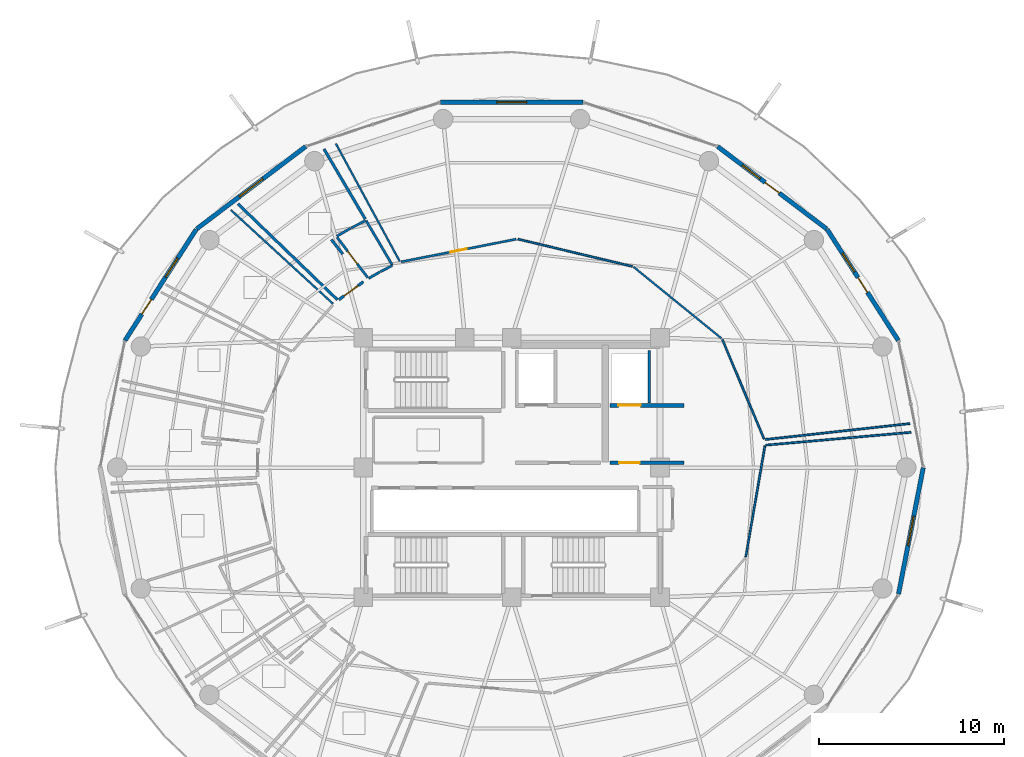
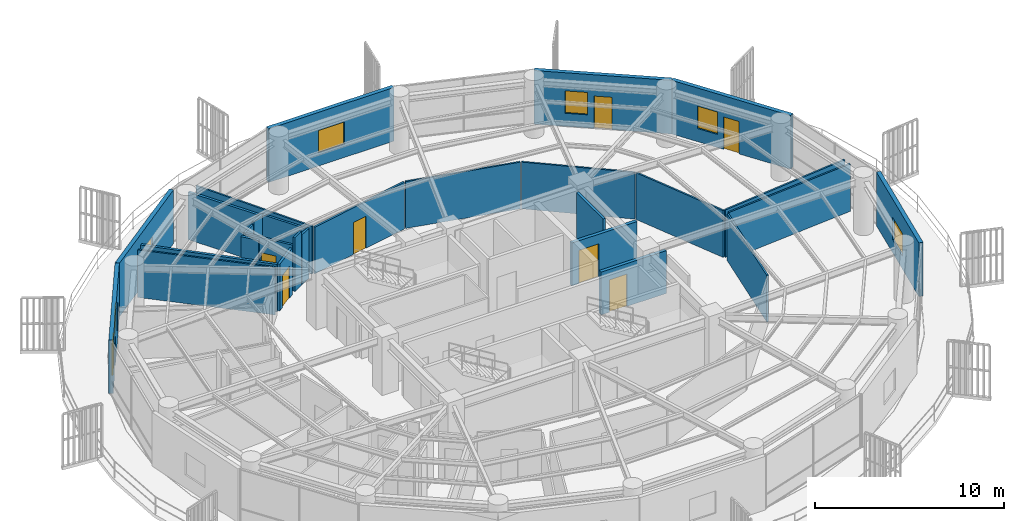
# One storey, part 25 of 30: 28 walls, 8 doors, 6 windows, 14 openings.
"""IFC4 building model written with IfcOpenShell, lengths in metres."""

import ifcopenshell
import ifcopenshell.guid

model = None  # the IFC model being written
_history = None  # IfcOwnerHistory: only IFC2X3 demands one
_inside = {}  # id of a spatial element -> (the spatial element, [elements in it])
_under = {}  # id of a project, library or spatial element -> (it, [spatial elements below it])
_declared = {}  # id of a project -> (the project, [libraries it declares])
_typed = {}  # id of a type object -> (the type object, [elements of that type])
_made_of = {}  # id of a material, layer set ... -> (it, [elements and type objects made of it])


def new_model(schema):
    """Start an empty IFC model of exactly this schema.

    Asked for "IFC4X3", IfcOpenShell would pick the latest addendum, in which some entities
    have other attributes; the version numbers below select the first issue.
    IFC2X3 requires an IfcOwnerHistory on every rooted entity: one is made here for all.
    """
    global model, _history
    if schema == "IFC4X3":
        model = ifcopenshell.file(schema_version=(4, 3, 0, 0))
    else:
        model = ifcopenshell.file(schema=schema)
    _inside.clear()
    _under.clear()
    _declared.clear()
    _typed.clear()
    _made_of.clear()
    _history = None
    if model.schema == "IFC2X3":
        org = make("IfcOrganization", Name="unknown")
        user = make(
            "IfcPersonAndOrganization",
            ThePerson=make("IfcPerson", FamilyName="unknown"),
            TheOrganization=org,
        )
        app = make(
            "IfcApplication",
            ApplicationDeveloper=org,
            Version="unknown",
            ApplicationFullName="unknown",
            ApplicationIdentifier="unknown",
        )
        _history = make(
            "IfcOwnerHistory",
            OwningUser=user,
            OwningApplication=app,
            ChangeAction="ADDED",
            CreationDate=0,
        )
    return model


def make(cls, **values):
    """One entity of the class cls with the attributes given. An attribute that is None is left unset."""
    return model.create_entity(
        cls, **{name: value for name, value in values.items() if value is not None}
    )


def rooted(cls, **values):
    """An entity with a GlobalId (a new one), such as an element, a storey or a relation."""
    return make(cls, GlobalId=ifcopenshell.guid.new(), OwnerHistory=_history, **values)


def si_unit(unit_type, name, prefix=None):
    """IfcSIUnit, for example si_unit("LENGTHUNIT", "METRE", prefix="MILLI")."""
    return make("IfcSIUnit", UnitType=unit_type, Prefix=prefix, Name=name)


def assignment(units):
    """IfcUnitAssignment: the units of a project."""
    return None if units is None else make("IfcUnitAssignment", Units=units)


def point(xyz):
    """IfcCartesianPoint."""
    return None if xyz is None else make("IfcCartesianPoint", Coordinates=xyz)


def direction(xyz):
    """IfcDirection."""
    return None if xyz is None else make("IfcDirection", DirectionRatios=xyz)


def frame(location, z_axis=None, x_axis=None):
    """IfcAxis2Placement3D, a coordinate frame: its origin and axes. An axis left out is left unset."""
    return make(
        "IfcAxis2Placement3D",
        Location=point(location),
        Axis=direction(z_axis),
        RefDirection=direction(x_axis),
    )


def frame_2d(location, x_axis=None):
    """IfcAxis2Placement2D, a coordinate frame in the plane: its origin and x axis."""
    return make(
        "IfcAxis2Placement2D", Location=point(location), RefDirection=direction(x_axis)
    )


def origin():
    """The frame at (0, 0, 0) with its axes left unset."""
    return frame((0.0, 0.0, 0.0))


def place(relative_to, where):
    """IfcLocalPlacement: puts the frame where relative to a parent placement (None: the world)."""
    return make(
        "IfcLocalPlacement", PlacementRelTo=relative_to, RelativePlacement=where
    )


def context(
    kind, dimensions, precision=None, world=None, true_north=None, identifier=None
):
    """IfcGeometricRepresentationContext, for example the 3D "Model" context."""
    return make(
        "IfcGeometricRepresentationContext",
        ContextIdentifier=identifier,
        ContextType=kind,
        CoordinateSpaceDimension=dimensions,
        Precision=precision,
        WorldCoordinateSystem=world,
        TrueNorth=true_north,
    )


def subcontext(parent, identifier, kind, view, scale=None):
    """IfcGeometricRepresentationSubContext, for example "Body" below "Model"."""
    return make(
        "IfcGeometricRepresentationSubContext",
        ContextIdentifier=identifier,
        ContextType=kind,
        ParentContext=parent,
        TargetScale=scale,
        TargetView=view,
    )


def project(units=None, contexts=None):
    """IfcProject with its units and contexts."""
    return rooted(
        "IfcProject",
        Name="project",
        RepresentationContexts=contexts,
        UnitsInContext=assignment(units),
    )


def spatial(cls, under=None, at=None, **own):
    """A site, building, storey or space (cls), placed at a placement, below another one or the project."""
    s = rooted(cls, ObjectPlacement=at, **own)
    if under is not None:
        _under.setdefault(under.id(), (under, []))[1].append(s)
    return s


def profile(cls, at=None, kind="AREA", **sizes):
    """A parametric profile (cls). Its sizes go by their IFC names, for example OverallWidth=200.0."""
    return make(cls, ProfileType=kind, Position=at, **sizes)


def rectangle(**sizes):
    """IfcRectangleProfileDef."""
    return profile("IfcRectangleProfileDef", **sizes)


def extrude(swept, where, along, depth):
    """IfcExtrudedAreaSolid: the profile swept, set in the frame where, extruded along a direction by depth."""
    return make(
        "IfcExtrudedAreaSolid",
        SweptArea=swept,
        Position=where,
        ExtrudedDirection=direction(along),
        Depth=depth,
    )


def shape(context_of_items, identifier, shape_type, items):
    """IfcShapeRepresentation: the items that make up one representation, for example the "Body"."""
    return make(
        "IfcShapeRepresentation",
        ContextOfItems=context_of_items,
        RepresentationIdentifier=identifier,
        RepresentationType=shape_type,
        Items=items,
    )


def material(Name=None, Category=None):
    """IfcMaterial."""
    return make("IfcMaterial", Name=Name, Category=Category)


def layer(
    of_material, thickness, ventilated=None, Name=None, Category=None, Priority=None
):
    """IfcMaterialLayer: one layer of a wall or slab, of a material (None: an air gap)."""
    return make(
        "IfcMaterialLayer",
        Material=of_material,
        LayerThickness=thickness,
        IsVentilated=ventilated,
        Name=Name,
        Category=Category,
        Priority=Priority,
    )


def layer_set(layers, Name=None):
    """IfcMaterialLayerSet."""
    return make("IfcMaterialLayerSet", MaterialLayers=layers, LayerSetName=Name)


def made_of(thing, what):
    """Note that an element or type object is made of a material, layer set ...; save() writes the relation."""
    if what is not None:
        _made_of.setdefault(what.id(), (what, []))[1].append(thing)
    return thing


def type_object(cls, material=None, **own):
    """A type object (cls), such as IfcWallType, which elements share."""
    return made_of(rooted(cls, **own), material)


def element(
    cls,
    number,
    at=None,
    inside=None,
    cuts=None,
    type_object=None,
    material=None,
    context=None,
    identifier="Body",
    shape_type=None,
    held_by="IfcProductDefinitionShape",
    body=None,
    shapes=None,
    **own,
):
    """One element of the class cls, such as IfcWall. Its Tag is "e" and its number.

    at: its placement. inside: the storey or other place that contains it. cuts: it is an
    opening in that element (IfcRelVoidsElement). A single representation is given by context,
    identifier, shape_type and body (its items); several are given by shapes. held_by: the class
    of the entity that holds the representations. save() writes the other relations.
    """
    e = rooted(cls, Tag="e%d" % number, ObjectPlacement=at, **own)
    if body is not None:
        shapes = [shape(context, identifier, shape_type, body)]
    if shapes is not None:
        e.Representation = make(held_by, Representations=shapes)
    if inside is not None:
        _inside.setdefault(inside.id(), (inside, []))[1].append(e)
    if cuts is not None:
        rooted(
            "IfcRelVoidsElement", RelatingBuildingElement=cuts, RelatedOpeningElement=e
        )
    if type_object is not None:
        _typed.setdefault(type_object.id(), (type_object, []))[1].append(e)
    return made_of(e, material)


def fill(opening, filler):
    """IfcRelFillsElement: the door or window that sits in an opening."""
    return rooted(
        "IfcRelFillsElement",
        RelatingOpeningElement=opening,
        RelatedBuildingElement=filler,
    )


def aggregate(whole, parts):
    """IfcRelAggregates: a whole, such as a stair, and the parts it consists of."""
    return rooted("IfcRelAggregates", RelatingObject=whole, RelatedObjects=parts)


def save(model, path):
    """Write the relations noted so far, then the file.

    IfcRelAggregates (storeys below a building ...), IfcRelContainedInSpatialStructure (elements
    in a storey), IfcRelDefinesByType, IfcRelAssociatesMaterial and IfcRelDeclares: one each for
    every whole, place, type object, material and project.
    """
    for whole, parts in _under.values():
        aggregate(whole, parts)
    for where, things in _inside.values():
        rooted(
            "IfcRelContainedInSpatialStructure",
            RelatedElements=things,
            RelatingStructure=where,
        )
    for kind, things in _typed.values():
        rooted("IfcRelDefinesByType", RelatedObjects=things, RelatingType=kind)
    for what, things in _made_of.values():
        rooted("IfcRelAssociatesMaterial", RelatedObjects=things, RelatingMaterial=what)
    for by, libraries in _declared.values():
        rooted("IfcRelDeclares", RelatingContext=by, RelatedDefinitions=libraries)
    model.write(path)


model = new_model("IFC4")

# Units and contexts
model_context = context("Model", 3, precision=1e-05, world=origin(), true_north=direction((0.0, 1.0)))
body_context = subcontext(model_context, "Body", "Model", "MODEL_VIEW")
ifc_project = project(units=[si_unit("LENGTHUNIT", "METRE"), si_unit("AREAUNIT", "SQUARE_METRE"), si_unit("VOLUMEUNIT", "CUBIC_METRE"), si_unit("PLANEANGLEUNIT", "RADIAN"), si_unit("MASSUNIT", "GRAM", prefix="KILO")], contexts=[model_context])

# Site, building, storey
site_placement = place(None, origin())
site = spatial("IfcSite", under=ifc_project, at=site_placement, CompositionType="ELEMENT")
building_placement = place(site_placement, origin())
building = spatial("IfcBuilding", under=site, at=building_placement, Name="Kelanora Arch Commons", CompositionType="ELEMENT")
storey_placement = place(building_placement, frame((0.0, 0.0, 234.449951171875)))
storey = spatial("IfcBuildingStorey", under=building, at=storey_placement, Name="L60", CompositionType="ELEMENT", Elevation=234.449951171875)

# Wall
ifc_material_1 = material(Name="Autoclaved aerated concrete blockwork with fire plaster", Category="masonry")
ifc_layer_1 = layer(ifc_material_1, 0.14990234375)
ifc_layer_set_1 = layer_set([ifc_layer_1], Name="Autoclaved aerated concrete blockwork with fire plaster")
wall_type_1 = type_object("IfcWallType", Name="W-COMP-150", PredefinedType="PARTITIONING", material=ifc_layer_set_1)
wall_1_placement = place(storey_placement, frame((81.419921875, 61.47998046875, 0.0), z_axis=(0.0, 0.0, 1.0), x_axis=(0.0, 1.0, 0.0)))
element("IfcWall", 1, at=wall_1_placement, inside=storey, type_object=wall_type_1, Name="Firefighting Lift 2 East Shaft Wall L60", PredefinedType="PARTITIONING", context=body_context, shape_type="SweptSolid", body=[
    extrude(rectangle(XDim=2.840087890625, YDim=0.14990234375, at=frame_2d((1.419921875, 0.0))), origin(), (0.0, 0.0, 1.0), 3.47998046875),
])

# Wall, opening, door
wall_2_placement = place(storey_placement, frame((65.99853515625, 68.015380859375, 0.0), z_axis=(0.0, 0.0, 1.0), x_axis=(-0.806790207918, -0.59083801537, 0.0)))
wall_2 = element("IfcWall", 2, at=wall_2_placement, inside=storey, type_object=wall_type_1, Name="Cluster Bedroom L60-01 Entry Partition", PredefinedType="PARTITIONING", context=body_context, shape_type="SweptSolid", body=[
    extrude(rectangle(XDim=1.63134765625, YDim=0.14990234375, at=frame_2d((0.815673828125, 0.0))), origin(), (0.0, 0.0, 1.0), 3.025146484375),
])
opening_1_placement = place(wall_2_placement, frame((0.341064453125, 0.0, 0.0)))
opening_1 = element("IfcOpeningElement", 3, at=opening_1_placement, cuts=wall_2, Name="Opening D-CLU1", PredefinedType="OPENING", context=body_context, shape_type="SweptSolid", body=[
    extrude(rectangle(XDim=0.949951171875, YDim=2.080078125, at=frame_2d((0.47509765625, 1.0400390625))), frame((0.0, 0.0849609375, 0.0), z_axis=(0.0, -1.0, 0.0), x_axis=(1.0, 0.0, 0.0)), (0.0, 0.0, 1.0), 0.169921875),
])
ifc_material_2 = material(Name="Solid-core acoustic timber cluster entry fire door", Category="wood")
door_type_1 = type_object("IfcDoorType", Name="D-CLU-95", OperationType="NOTDEFINED", PredefinedType="DOOR", material=ifc_material_2)
door_1_placement = place(opening_1_placement, origin())
door_1 = element("IfcDoor", 4, at=door_1_placement, inside=storey, type_object=door_type_1, Name="Cluster Bedroom L60-01 Door", OperationType="SINGLE_SWING_LEFT", OverallHeight=2.080078125, OverallWidth=0.949951171875, PredefinedType="DOOR", context=body_context, shape_type="SweptSolid", body=[
    extrude(rectangle(XDim=0.949951171875, YDim=2.080078125, at=frame_2d((0.47509765625, 1.0400390625))), frame((0.0, 0.02490234375, 0.0), z_axis=(0.0, -1.0, 0.0), x_axis=(1.0, 0.0, 0.0)), (0.0, 0.0, 1.0), 0.050048828125),
])
fill(opening_1, door_1)

# Walls
wall_3_placement = place(storey_placement, frame((64.605224609375, 67.043701171875, 0.0), z_axis=(0.0, 0.0, 1.0), x_axis=(-0.719927885424, 0.694048874208, 0.0)))
element("IfcWall", 5, at=wall_3_placement, inside=storey, type_object=wall_type_1, Name="Cluster Bedroom L60-01 Enclosure Partition 2", PredefinedType="PARTITIONING", context=body_context, shape_type="SweptSolid", body=[
    extrude(rectangle(XDim=7.452880859375, YDim=0.14990234375, at=frame_2d((3.7265625, 0.0))), origin(), (0.0, 0.0, 1.0), 3.074951171875),
])
wall_4_placement = place(storey_placement, frame((63.875244140625, 75.181396484375, 0.0), z_axis=(0.0, 0.0, 1.0), x_axis=(0.50737473807, -0.861725521943, 0.0)))
element("IfcWall", 6, at=wall_4_placement, inside=storey, type_object=wall_type_1, Name="Cluster Bedroom L60-01 Enclosure Partition 5", PredefinedType="PARTITIONING", context=body_context, shape_type="SweptSolid", body=[
    extrude(rectangle(XDim=4.392333984375, YDim=0.14990234375, at=frame_2d((2.1962890625, 0.0))), origin(), (0.0, 0.0, 1.0), 3.074951171875),
])
wall_5_placement = place(storey_placement, frame((64.27490234375, 70.29248046875, 0.0), z_axis=(0.0, 0.0, 1.0), x_axis=(0.620137292908, -0.784493300127, 0.0)))
element("IfcWall", 7, at=wall_5_placement, inside=storey, type_object=wall_type_1, Name="Cluster Bedroom L60-01 Enclosure Partition 7", PredefinedType="PARTITIONING", context=body_context, shape_type="SweptSolid", body=[
    extrude(rectangle(XDim=0.995361328125, YDim=0.14990234375, at=frame_2d((0.49755859375, 0.0))), origin(), (0.0, 0.0, 1.0), 3.025146484375),
])

# Wall, openings, door, window
ifc_material_3 = material(Name="Precast concrete C40/50 upper-zone terracotta rainscreen", Category="masonry")
ifc_layer_2 = layer(ifc_material_3, 0.239990234375)
ifc_layer_set_2 = layer_set([ifc_layer_2], Name="Precast concrete C40/50 upper-zone terracotta rainscreen")
wall_type_2 = type_object("IfcWallType", Name="W-EXT-TC2", PredefinedType="SOLIDWALL", material=ifc_layer_set_2)
wall_6_placement = place(storey_placement, frame((94.85302734375, 64.85302734375, 0.0), z_axis=(0.0, 0.0, 1.0), x_axis=(-0.539539512973, 0.841960280501, 0.0)))
wall_6 = element("IfcWall", 8, at=wall_6_placement, inside=storey, type_object=wall_type_2, Name="Terracotta Exterior Wall L60-B01", PredefinedType="SOLIDWALL", context=body_context, shape_type="SweptSolid", body=[
    extrude(rectangle(XDim=7.11474609375, YDim=0.239990234375, at=frame_2d((3.557373046875, 0.0))), origin(), (0.0, 0.0, 1.0), 3.47509765625),
])
opening_2_placement = place(wall_6_placement, frame((3.08203125, 0.0, 0.0)))
opening_2 = element("IfcOpeningElement", 9, at=opening_2_placement, cuts=wall_6, Name="Opening DB-01", PredefinedType="OPENING", context=body_context, shape_type="SweptSolid", body=[
    extrude(rectangle(XDim=0.949951171875, YDim=2.10009765625, at=frame_2d((0.47509765625, 1.050048828125))), frame((0.0, 0.1298828125, 0.0), z_axis=(0.0, -1.0, 0.0), x_axis=(1.0, 0.0, 0.0)), (0.0, 0.0, 1.0), 0.260009765625),
])
opening_3_placement = place(wall_6_placement, frame((4.382080078125, 0.0, 0.85009765625)))
opening_3 = element("IfcOpeningElement", 10, at=opening_3_placement, cuts=wall_6, Name="Opening WN-02", PredefinedType="OPENING", context=body_context, shape_type="SweptSolid", body=[
    extrude(rectangle(XDim=1.199951171875, YDim=1.449951171875, at=frame_2d((0.60009765625, 0.72509765625))), frame((0.0, 0.1298828125, 0.0), z_axis=(0.0, -1.0, 0.0), x_axis=(1.0, 0.0, 0.0)), (0.0, 0.0, 1.0), 0.260009765625),
])
ifc_material_4 = material(Name="Terracotta-aluminium thermally broken glazed balcony door", Category="masonry")
door_type_2 = type_object("IfcDoorType", Name="D-BAL-10", OperationType="NOTDEFINED", PredefinedType="DOOR", material=ifc_material_4)
door_2_placement = place(opening_2_placement, frame((0.949951171875, 0.0, 0.0), z_axis=(0.0, 0.0, 1.0), x_axis=(-1.0, 0.0, 0.0)))
door_2 = element("IfcDoor", 11, at=door_2_placement, inside=storey, type_object=door_type_2, Name="Wave Balcony Door L60-B01", OperationType="SINGLE_SWING_RIGHT", OverallHeight=2.10009765625, OverallWidth=0.949951171875, PredefinedType="DOOR", context=body_context, shape_type="SweptSolid", body=[
    extrude(rectangle(XDim=0.949951171875, YDim=2.10009765625, at=frame_2d((0.47509765625, 1.050048828125))), frame((0.0, 0.02490234375, 0.0), z_axis=(0.0, -1.0, 0.0), x_axis=(1.0, 0.0, 0.0)), (0.0, 0.0, 1.0), 0.050048828125),
])
fill(opening_2, door_2)
ifc_material_5 = material(Name="Terracotta-anodised aluminium frame with operable awning sash", Category="masonry")
window_type_1 = type_object("IfcWindowType", Name="WIN-CL-12", PartitioningType="SINGLE_PANEL", PredefinedType="WINDOW", material=ifc_material_5)
window_1_placement = place(opening_3_placement, origin())
window_1 = element("IfcWindow", 12, at=window_1_placement, inside=storey, type_object=window_type_1, Name="Co-Living Operable Window L60-B01", OverallHeight=1.449951171875, OverallWidth=1.199951171875, PartitioningType="SINGLE_PANEL", PredefinedType="WINDOW", context=body_context, shape_type="SweptSolid", body=[
    extrude(rectangle(XDim=1.199951171875, YDim=1.449951171875, at=frame_2d((0.60009765625, 0.72509765625))), frame((0.0, 0.030029296875, 0.0), z_axis=(0.0, -1.0, 0.0), x_axis=(1.0, 0.0, 0.0)), (0.0, 0.0, 1.0), 0.06005859375),
])
fill(opening_3, window_1)

wall_7_placement = place(storey_placement, frame((90.994140625, 70.86474609375, 0.0), z_axis=(0.0, 0.0, 1.0), x_axis=(-0.797701674595, 0.603052268338, 0.0)))
wall_7 = element("IfcWall", 13, at=wall_7_placement, inside=storey, type_object=wall_type_2, Name="Terracotta Exterior Wall L60-B02", PredefinedType="SOLIDWALL", context=body_context, shape_type="SweptSolid", body=[
    extrude(rectangle(XDim=7.373779296875, YDim=0.239990234375, at=frame_2d((3.68701171875, 0.0))), origin(), (0.0, 0.0, 1.0), 3.47509765625),
])
opening_4_placement = place(wall_7_placement, frame((3.2119140625, 0.0, 0.0)))
opening_4 = element("IfcOpeningElement", 14, at=opening_4_placement, cuts=wall_7, Name="Opening DB-01", PredefinedType="OPENING", context=body_context, shape_type="SweptSolid", body=[
    extrude(rectangle(XDim=0.949951171875, YDim=2.10009765625, at=frame_2d((0.47509765625, 1.050048828125))), frame((0.0, 0.1298828125, 0.0), z_axis=(0.0, -1.0, 0.0), x_axis=(1.0, 0.0, 0.0)), (0.0, 0.0, 1.0), 0.260009765625),
])
opening_5_placement = place(wall_7_placement, frame((4.511962890625, 0.0, 0.85009765625)))
opening_5 = element("IfcOpeningElement", 15, at=opening_5_placement, cuts=wall_7, Name="Opening WN-02", PredefinedType="OPENING", context=body_context, shape_type="SweptSolid", body=[
    extrude(rectangle(XDim=1.199951171875, YDim=1.449951171875, at=frame_2d((0.60009765625, 0.72509765625))), frame((0.0, 0.1298828125, 0.0), z_axis=(0.0, -1.0, 0.0), x_axis=(1.0, 0.0, 0.0)), (0.0, 0.0, 1.0), 0.260009765625),
])
door_3_placement = place(opening_4_placement, frame((0.949951171875, 0.0, 0.0), z_axis=(0.0, 0.0, 1.0), x_axis=(-1.0, 0.0, 0.0)))
door_3 = element("IfcDoor", 16, at=door_3_placement, inside=storey, type_object=door_type_2, Name="Wave Balcony Door L60-B02", OperationType="SINGLE_SWING_LEFT", OverallHeight=2.10009765625, OverallWidth=0.949951171875, PredefinedType="DOOR", context=body_context, shape_type="SweptSolid", body=[
    extrude(rectangle(XDim=0.949951171875, YDim=2.10009765625, at=frame_2d((0.47509765625, 1.050048828125))), frame((0.0, 0.02490234375, 0.0), z_axis=(0.0, -1.0, 0.0), x_axis=(1.0, 0.0, 0.0)), (0.0, 0.0, 1.0), 0.050048828125),
])
fill(opening_4, door_3)
window_2_placement = place(opening_5_placement, origin())
window_2 = element("IfcWindow", 17, at=window_2_placement, inside=storey, type_object=window_type_1, Name="Co-Living Operable Window L60-B02", OverallHeight=1.449951171875, OverallWidth=1.199951171875, PartitioningType="SINGLE_PANEL", PredefinedType="WINDOW", context=body_context, shape_type="SweptSolid", body=[
    extrude(rectangle(XDim=1.199951171875, YDim=1.449951171875, at=frame_2d((0.60009765625, 0.72509765625))), frame((0.0, 0.030029296875, 0.0), z_axis=(0.0, -1.0, 0.0), x_axis=(1.0, 0.0, 0.0)), (0.0, 0.0, 1.0), 0.06005859375),
])
fill(opening_5, window_2)

# Wall, opening, window
wall_8_placement = place(storey_placement, frame((77.840087890625, 77.6962890625, 0.0), z_axis=(0.0, 0.0, 1.0), x_axis=(-1.0, 0.0, 0.0)))
wall_8 = element("IfcWall", 18, at=wall_8_placement, inside=storey, type_object=wall_type_2, Name="Terracotta Exterior Wall L60-B04", PredefinedType="SOLIDWALL", context=body_context, shape_type="SweptSolid", body=[
    extrude(rectangle(XDim=7.68017578125, YDim=0.239990234375, at=frame_2d((3.840087890625, 0.0))), origin(), (0.0, 0.0, 1.0), 3.47509765625),
])
opening_6_placement = place(wall_8_placement, frame((3.0400390625, 0.0, 0.85009765625)))
opening_6 = element("IfcOpeningElement", 19, at=opening_6_placement, cuts=wall_8, Name="Opening WN-01", PredefinedType="OPENING", context=body_context, shape_type="SweptSolid", body=[
    extrude(rectangle(XDim=1.60009765625, YDim=1.449951171875, at=frame_2d((0.800048828125, 0.72509765625))), frame((0.0, 0.1298828125, 0.0), z_axis=(0.0, -1.0, 0.0), x_axis=(1.0, 0.0, 0.0)), (0.0, 0.0, 1.0), 0.260009765625),
])
ifc_material_6 = material(Name="Terracotta-anodised aluminium frame with operable low-E glazing", Category="masonry")
window_type_2 = type_object("IfcWindowType", Name="WIN-CL-18", PartitioningType="DOUBLE_PANEL_VERTICAL", PredefinedType="WINDOW", material=ifc_material_6)
window_3_placement = place(opening_6_placement, origin())
window_3 = element("IfcWindow", 20, at=window_3_placement, inside=storey, type_object=window_type_2, Name="Co-Living Operable Window L60-B04", OverallHeight=1.449951171875, OverallWidth=1.60009765625, PartitioningType="SINGLE_PANEL", PredefinedType="WINDOW", context=body_context, shape_type="SweptSolid", body=[
    extrude(rectangle(XDim=1.60009765625, YDim=1.449951171875, at=frame_2d((0.800048828125, 0.72509765625))), frame((0.0, 0.030029296875, 0.0), z_axis=(0.0, -1.0, 0.0), x_axis=(1.0, 0.0, 0.0)), (0.0, 0.0, 1.0), 0.06005859375),
])
fill(opening_6, window_3)

wall_9_placement = place(storey_placement, frame((62.887939453125, 75.3115234375, 0.0), z_axis=(0.0, 0.0, 1.0), x_axis=(-0.797701674595, -0.603052268338, 0.0)))
wall_9 = element("IfcWall", 21, at=wall_9_placement, inside=storey, type_object=wall_type_2, Name="Terracotta Exterior Wall L60-B06", PredefinedType="SOLIDWALL", context=body_context, shape_type="SweptSolid", body=[
    extrude(rectangle(XDim=7.373779296875, YDim=0.239990234375, at=frame_2d((3.68701171875, 0.0))), origin(), (0.0, 0.0, 1.0), 3.47509765625),
])
opening_7_placement = place(wall_9_placement, frame((2.886962890625, 0.0, 0.85009765625)))
opening_7 = element("IfcOpeningElement", 22, at=opening_7_placement, cuts=wall_9, Name="Opening WN-01", PredefinedType="OPENING", context=body_context, shape_type="SweptSolid", body=[
    extrude(rectangle(XDim=1.60009765625, YDim=1.449951171875, at=frame_2d((0.800048828125, 0.72509765625))), frame((0.0, 0.1298828125, 0.0), z_axis=(0.0, -1.0, 0.0), x_axis=(1.0, 0.0, 0.0)), (0.0, 0.0, 1.0), 0.260009765625),
])
window_4_placement = place(opening_7_placement, origin())
window_4 = element("IfcWindow", 23, at=window_4_placement, inside=storey, type_object=window_type_2, Name="Co-Living Operable Window L60-B06", OverallHeight=1.449951171875, OverallWidth=1.60009765625, PartitioningType="SINGLE_PANEL", PredefinedType="WINDOW", context=body_context, shape_type="SweptSolid", body=[
    extrude(rectangle(XDim=1.60009765625, YDim=1.449951171875, at=frame_2d((0.800048828125, 0.72509765625))), frame((0.0, 0.030029296875, 0.0), z_axis=(0.0, -1.0, 0.0), x_axis=(1.0, 0.0, 0.0)), (0.0, 0.0, 1.0), 0.06005859375),
])
fill(opening_7, window_4)

# Wall, openings, door, window
wall_10_placement = place(storey_placement, frame((56.985595703125, 70.84326171875, 0.0), z_axis=(0.0, 0.0, 1.0), x_axis=(-0.539539512973, -0.841960280501, 0.0)))
wall_10 = element("IfcWall", 24, at=wall_10_placement, inside=storey, type_object=wall_type_2, Name="Terracotta Exterior Wall L60-B07", PredefinedType="SOLIDWALL", context=body_context, shape_type="SweptSolid", body=[
    extrude(rectangle(XDim=7.11474609375, YDim=0.239990234375, at=frame_2d((3.557373046875, 0.0))), origin(), (0.0, 0.0, 1.0), 3.47509765625),
])
opening_8_placement = place(wall_10_placement, frame((4.48193359375, 0.0, 0.0)))
opening_8 = element("IfcOpeningElement", 25, at=opening_8_placement, cuts=wall_10, Name="Opening DB-01", PredefinedType="OPENING", context=body_context, shape_type="SweptSolid", body=[
    extrude(rectangle(XDim=0.949951171875, YDim=2.10009765625, at=frame_2d((0.47509765625, 1.050048828125))), frame((0.0, 0.1298828125, 0.0), z_axis=(0.0, -1.0, 0.0), x_axis=(1.0, 0.0, 0.0)), (0.0, 0.0, 1.0), 0.260009765625),
])
opening_9_placement = place(wall_10_placement, frame((1.85205078125, 0.0, 0.85009765625)))
opening_9 = element("IfcOpeningElement", 26, at=opening_9_placement, cuts=wall_10, Name="Opening WN-02", PredefinedType="OPENING", context=body_context, shape_type="SweptSolid", body=[
    extrude(rectangle(XDim=1.199951171875, YDim=1.449951171875, at=frame_2d((0.60009765625, 0.72509765625))), frame((0.0, 0.1298828125, 0.0), z_axis=(0.0, -1.0, 0.0), x_axis=(1.0, 0.0, 0.0)), (0.0, 0.0, 1.0), 0.260009765625),
])
door_4_placement = place(opening_8_placement, frame((0.949951171875, 0.0, 0.0), z_axis=(0.0, 0.0, 1.0), x_axis=(-1.0, 0.0, 0.0)))
door_4 = element("IfcDoor", 27, at=door_4_placement, inside=storey, type_object=door_type_2, Name="Wave Balcony Door L60-B07", OperationType="SINGLE_SWING_RIGHT", OverallHeight=2.10009765625, OverallWidth=0.949951171875, PredefinedType="DOOR", context=body_context, shape_type="SweptSolid", body=[
    extrude(rectangle(XDim=0.949951171875, YDim=2.10009765625, at=frame_2d((0.47509765625, 1.050048828125))), frame((0.0, 0.02490234375, 0.0), z_axis=(0.0, -1.0, 0.0), x_axis=(1.0, 0.0, 0.0)), (0.0, 0.0, 1.0), 0.050048828125),
])
fill(opening_8, door_4)
window_5_placement = place(opening_9_placement, origin())
window_5 = element("IfcWindow", 28, at=window_5_placement, inside=storey, type_object=window_type_1, Name="Co-Living Operable Window L60-B07", OverallHeight=1.449951171875, OverallWidth=1.199951171875, PartitioningType="SINGLE_PANEL", PredefinedType="WINDOW", context=body_context, shape_type="SweptSolid", body=[
    extrude(rectangle(XDim=1.199951171875, YDim=1.449951171875, at=frame_2d((0.60009765625, 0.72509765625))), frame((0.0, 0.030029296875, 0.0), z_axis=(0.0, -1.0, 0.0), x_axis=(1.0, 0.0, 0.0)), (0.0, 0.0, 1.0), 0.06005859375),
])
fill(opening_9, window_5)

# Wall, opening, window
wall_11_placement = place(storey_placement, frame((94.864013671875, 51.17431640625, 0.0), z_axis=(0.0, 0.0, 1.0), x_axis=(0.192069055673, 0.981381413036, 0.0)))
wall_11 = element("IfcWall", 29, at=wall_11_placement, inside=storey, type_object=wall_type_2, Name="Terracotta Exterior Wall L60-B17", PredefinedType="SOLIDWALL", context=body_context, shape_type="SweptSolid", body=[
    extrude(rectangle(XDim=6.940185546875, YDim=0.239990234375, at=frame_2d((3.47021484375, 0.0))), origin(), (0.0, 0.0, 1.0), 3.47509765625),
])
opening_10_placement = place(wall_11_placement, frame((2.669921875, 0.0, 0.85009765625)))
opening_10 = element("IfcOpeningElement", 30, at=opening_10_placement, cuts=wall_11, Name="Opening WN-01", PredefinedType="OPENING", context=body_context, shape_type="SweptSolid", body=[
    extrude(rectangle(XDim=1.60009765625, YDim=1.449951171875, at=frame_2d((0.800048828125, 0.72509765625))), frame((0.0, 0.1298828125, 0.0), z_axis=(0.0, -1.0, 0.0), x_axis=(1.0, 0.0, 0.0)), (0.0, 0.0, 1.0), 0.260009765625),
])
window_6_placement = place(opening_10_placement, origin())
window_6 = element("IfcWindow", 31, at=window_6_placement, inside=storey, type_object=window_type_2, Name="Co-Living Operable Window L60-B17", OverallHeight=1.449951171875, OverallWidth=1.60009765625, PartitioningType="SINGLE_PANEL", PredefinedType="WINDOW", context=body_context, shape_type="SweptSolid", body=[
    extrude(rectangle(XDim=1.60009765625, YDim=1.449951171875, at=frame_2d((0.800048828125, 0.72509765625))), frame((0.0, 0.030029296875, 0.0), z_axis=(0.0, -1.0, 0.0), x_axis=(1.0, 0.0, 0.0)), (0.0, 0.0, 1.0), 0.06005859375),
])
fill(opening_10, window_6)

# Wall, opening, door
ifc_material_7 = material(Name="Concrete C40/50", Category="concrete")
ifc_layer_3 = layer(ifc_material_7, 0.199951171875)
ifc_layer_set_3 = layer_set([ifc_layer_3], Name="Concrete C40/50")
wall_type_3 = type_object("IfcWallType", Name="W-FFL-200", PredefinedType="SOLIDWALL", material=ifc_layer_set_3)
wall_12_placement = place(storey_placement, frame((79.300048828125, 61.35009765625, 0.0), z_axis=(0.0, 0.0, 1.0), x_axis=(1.0, 0.0, 0.0)))
wall_12 = element("IfcWall", 32, at=wall_12_placement, inside=storey, type_object=wall_type_3, Name="Firefighting Lift 2 Shaft Front L60", PredefinedType="SOLIDWALL", context=body_context, shape_type="SweptSolid", body=[
    extrude(rectangle(XDim=4.0, YDim=0.199951171875, at=frame_2d((2.0, 0.0))), origin(), (0.0, 0.0, 1.0), 2.775146484375),
])
opening_11_placement = place(wall_12_placement, frame((0.449951171875, 0.0, 0.0)))
opening_11 = element("IfcOpeningElement", 33, at=opening_11_placement, cuts=wall_12, Name="Opening LD-FF", PredefinedType="OPENING", context=body_context, shape_type="SweptSolid", body=[
    extrude(rectangle(XDim=1.199951171875, YDim=2.14990234375, at=frame_2d((0.60009765625, 1.074951171875))), frame((0.0, 0.10986328125, 0.0), z_axis=(0.0, -1.0, 0.0), x_axis=(1.0, 0.0, 0.0)), (0.0, 0.0, 1.0), 0.219970703125),
])
ifc_material_8 = material(Name="Fire-rated firefighters lift sliding landing door")
door_type_3 = type_object("IfcDoorType", Name="D-LIFT-FF", OperationType="NOTDEFINED", PredefinedType="DOOR", material=ifc_material_8)
door_5_placement = place(opening_11_placement, origin())
door_5 = element("IfcDoor", 34, at=door_5_placement, inside=storey, type_object=door_type_3, Name="Firefighting Lift LF-FF2 Landing Door L60", OperationType="DOUBLE_DOOR_SLIDING", OverallHeight=2.14990234375, OverallWidth=1.199951171875, PredefinedType="DOOR", context=body_context, shape_type="SweptSolid", body=[
    extrude(rectangle(XDim=1.199951171875, YDim=2.14990234375, at=frame_2d((0.60009765625, 1.074951171875))), frame((0.0, 0.02490234375, 0.0), z_axis=(0.0, -1.0, 0.0), x_axis=(1.0, 0.0, 0.0)), (0.0, 0.0, 1.0), 0.050048828125),
])
fill(opening_11, door_5)

wall_13_placement = place(storey_placement, frame((79.300048828125, 58.25, 0.0), z_axis=(0.0, 0.0, 1.0), x_axis=(1.0, 0.0, 0.0)))
wall_13 = element("IfcWall", 35, at=wall_13_placement, inside=storey, type_object=wall_type_3, Name="Firefighting Lobby 2 Enclosure Wall L60", PredefinedType="SOLIDWALL", context=body_context, shape_type="SweptSolid", body=[
    extrude(rectangle(XDim=4.0, YDim=0.199951171875, at=frame_2d((2.0, 0.0))), origin(), (0.0, 0.0, 1.0), 2.775146484375),
])
opening_12_placement = place(wall_13_placement, frame((0.5, 0.0, 0.0)))
opening_12 = element("IfcOpeningElement", 36, at=opening_12_placement, cuts=wall_13, Name="Opening D-FFL1", PredefinedType="OPENING", context=body_context, shape_type="SweptSolid", body=[
    extrude(rectangle(XDim=1.10009765625, YDim=2.10009765625, at=frame_2d((0.550048828125, 1.050048828125))), frame((0.0, 0.10986328125, 0.0), z_axis=(0.0, -1.0, 0.0), x_axis=(1.0, 0.0, 0.0)), (0.0, 0.0, 1.0), 0.219970703125),
])
ifc_material_9 = material(Name="Smoke-sealed firefighting lobby fire door")
door_type_4 = type_object("IfcDoorType", Name="D-FFL-110", OperationType="NOTDEFINED", PredefinedType="DOOR", material=ifc_material_9)
door_6_placement = place(opening_12_placement, frame((1.10009765625, 0.0, 0.0), z_axis=(0.0, 0.0, 1.0), x_axis=(-1.0, 0.0, 0.0)))
door_6 = element("IfcDoor", 37, at=door_6_placement, inside=storey, type_object=door_type_4, Name="Firefighting Lobby 2 Door L60", OperationType="SINGLE_SWING_RIGHT", OverallHeight=2.10009765625, OverallWidth=1.10009765625, PredefinedType="DOOR", context=body_context, shape_type="SweptSolid", body=[
    extrude(rectangle(XDim=1.10009765625, YDim=2.10009765625, at=frame_2d((0.550048828125, 1.050048828125))), frame((0.0, 0.02490234375, 0.0), z_axis=(0.0, -1.0, 0.0), x_axis=(1.0, 0.0, 0.0)), (0.0, 0.0, 1.0), 0.050048828125),
])
fill(opening_12, door_6)

# Walls
ifc_material_10 = material(Name="Lightweight fire-rated acoustic stud partition")
ifc_layer_4 = layer(ifc_material_10, 0.10009765625)
ifc_layer_set_4 = layer_set([ifc_layer_4], Name="Lightweight fire-rated acoustic stud partition")
wall_type_4 = type_object("IfcWallType", Name="W-PART-100", PredefinedType="PARTITIONING", material=ifc_layer_set_4)
wall_14_placement = place(storey_placement, frame((86.62890625, 53.1875, 0.0), z_axis=(0.0, 0.0, 1.0), x_axis=(0.169580632524, 0.985516315985, 0.0)))
element("IfcWall", 38, at=wall_14_placement, inside=storey, type_object=wall_type_4, Name="South-East Shared Study Commons L60 Enclosure Partition 4", PredefinedType="PARTITIONING", context=body_context, shape_type="SweptSolid", body=[
    extrude(rectangle(XDim=6.06396484375, YDim=0.10009765625, at=frame_2d((3.031982421875, 0.0))), origin(), (0.0, 0.0, 1.0), 3.025146484375),
])
wall_15_placement = place(storey_placement, frame((87.703857421875, 59.20654296875, 0.0), z_axis=(0.0, 0.0, 1.0), x_axis=(0.996132647719, 0.087862097337, 0.0)))
element("IfcWall", 39, at=wall_15_placement, inside=storey, type_object=wall_type_4, Name="South-East Shared Study Commons L60 Enclosure Partition 5", PredefinedType="PARTITIONING", context=body_context, shape_type="SweptSolid", body=[
    extrude(rectangle(XDim=7.86376953125, YDim=0.10009765625, at=frame_2d((3.931884765625, 0.0))), origin(), (0.0, 0.0, 1.0), 3.074951171875),
])
wall_16_placement = place(storey_placement, frame((87.612548828125, 59.539794921875, 0.0), z_axis=(0.0, 0.0, 1.0), x_axis=(-0.38662991483, 0.922234953229, 0.0)))
element("IfcWall", 40, at=wall_16_placement, inside=storey, type_object=wall_type_4, Name="North-East Shared Cluster Kitchen L60 Enclosure Partition 1", PredefinedType="PARTITIONING", context=body_context, shape_type="SweptSolid", body=[
    extrude(rectangle(XDim=5.814453125, YDim=0.10009765625, at=frame_2d((2.9072265625, 0.0))), origin(), (0.0, 0.0, 1.0), 3.025146484375),
])
wall_17_placement = place(storey_placement, frame((85.318115234375, 64.964111328125, 0.0), z_axis=(0.0, 0.0, 1.0), x_axis=(-0.776225367264, 0.6304555331, 0.0)))
element("IfcWall", 41, at=wall_17_placement, inside=storey, type_object=wall_type_4, Name="North-East Shared Cluster Kitchen L60 Enclosure Partition 2", PredefinedType="PARTITIONING", context=body_context, shape_type="SweptSolid", body=[
    extrude(rectangle(XDim=6.101318359375, YDim=0.10009765625, at=frame_2d((3.05078125, 0.0))), origin(), (0.0, 0.0, 1.0), 3.025146484375),
])
wall_18_placement = place(storey_placement, frame((80.51220703125, 68.84521484375, 0.0), z_axis=(0.0, 0.0, 1.0), x_axis=(-0.97271492098, 0.232003626055, 0.0)))
element("IfcWall", 42, at=wall_18_placement, inside=storey, type_object=wall_type_4, Name="North-East Shared Cluster Kitchen L60 Enclosure Partition 3", PredefinedType="PARTITIONING", context=body_context, shape_type="SweptSolid", body=[
    extrude(rectangle(XDim=6.346435546875, YDim=0.10009765625, at=frame_2d((3.17333984375, 0.0))), origin(), (0.0, 0.0, 1.0), 3.025146484375),
])
wall_19_placement = place(storey_placement, frame((67.9619140625, 69.1171875, 0.0), z_axis=(0.0, 0.0, 1.0), x_axis=(-0.476664873876, 0.879085091452, 0.0)))
element("IfcWall", 43, at=wall_19_placement, inside=storey, type_object=wall_type_4, Name="North-East Shared Cluster Kitchen L60 Enclosure Partition 5", PredefinedType="PARTITIONING", context=body_context, shape_type="SweptSolid", body=[
    extrude(rectangle(XDim=7.23095703125, YDim=0.10009765625, at=frame_2d((3.615478515625, 0.0))), origin(), (0.0, 0.0, 1.0), 3.074951171875),
])
wall_20_placement = place(storey_placement, frame((95.478271484375, 60.36962890625, 0.0), z_axis=(0.0, 0.0, 1.0), x_axis=(-0.993960784938, -0.109735855601, 0.0)))
element("IfcWall", 44, at=wall_20_placement, inside=storey, type_object=wall_type_4, Name="North-East Shared Cluster Kitchen L60 Enclosure Partition 10", PredefinedType="PARTITIONING", context=body_context, shape_type="SweptSolid", body=[
    extrude(rectangle(XDim=7.85791015625, YDim=0.10009765625, at=frame_2d((3.928955078125, 0.0))), origin(), (0.0, 0.0, 1.0), 3.074951171875),
])
wall_21_placement = place(storey_placement, frame((58.857421875, 71.887939453125, 0.0), z_axis=(0.0, 0.0, 1.0), x_axis=(0.736669736632, -0.676252688815, 0.0)))
element("IfcWall", 45, at=wall_21_placement, inside=storey, type_object=wall_type_4, Name="Social Sky Lounge L60-02 Enclosure Partition 4", PredefinedType="PARTITIONING", context=body_context, shape_type="SweptSolid", body=[
    extrude(rectangle(XDim=7.4716796875, YDim=0.10009765625, at=frame_2d((3.73583984375, 0.0))), origin(), (0.0, 0.0, 1.0), 3.074951171875),
])

# Wall, opening, door
ifc_material_11 = material(Name="Acoustic twin-stud fire-rated gypsum partition")
ifc_layer_5 = layer(ifc_material_11, 0.1201171875)
ifc_layer_set_5 = layer_set([ifc_layer_5], Name="Acoustic twin-stud fire-rated gypsum partition")
wall_type_5 = type_object("IfcWallType", Name="W-PART-120", PredefinedType="PARTITIONING", material=ifc_layer_set_5)
wall_22_placement = place(storey_placement, frame((74.2412109375, 70.3154296875, 0.0), z_axis=(0.0, 0.0, 1.0), x_axis=(-0.981135287424, -0.193322393353, 0.0)))
wall_22 = element("IfcWall", 46, at=wall_22_placement, inside=storey, type_object=wall_type_5, Name="North-East Shared Cluster Kitchen L60 Entry Partition", PredefinedType="PARTITIONING", context=body_context, shape_type="SweptSolid", body=[
    extrude(rectangle(XDim=6.320556640625, YDim=0.1201171875, at=frame_2d((3.16015625, 0.0))), origin(), (0.0, 0.0, 1.0), 3.025146484375),
])
opening_13_placement = place(wall_22_placement, frame((2.7099609375, 0.0, 0.0)))
opening_13 = element("IfcOpeningElement", 47, at=opening_13_placement, cuts=wall_22, Name="Opening D-RM1", PredefinedType="OPENING", context=body_context, shape_type="SweptSolid", body=[
    extrude(rectangle(XDim=0.89990234375, YDim=2.080078125, at=frame_2d((0.449951171875, 1.0400390625))), frame((0.0, 0.070068359375, 0.0), z_axis=(0.0, -1.0, 0.0), x_axis=(1.0, 0.0, 0.0)), (0.0, 0.0, 1.0), 0.14013671875),
])
ifc_material_12 = material(Name="Acoustic fire-rated timber study and lounge door", Category="wood")
door_type_5 = type_object("IfcDoorType", Name="D-ROOM-90", OperationType="NOTDEFINED", PredefinedType="DOOR", material=ifc_material_12)
door_7_placement = place(opening_13_placement, origin())
door_7 = element("IfcDoor", 48, at=door_7_placement, inside=storey, type_object=door_type_5, Name="North-East Shared Cluster Kitchen L60 Door", OperationType="SINGLE_SWING_LEFT", OverallHeight=2.080078125, OverallWidth=0.89990234375, PredefinedType="DOOR", context=body_context, shape_type="SweptSolid", body=[
    extrude(rectangle(XDim=0.89990234375, YDim=2.080078125, at=frame_2d((0.449951171875, 1.0400390625))), frame((0.0, 0.02490234375, 0.0), z_axis=(0.0, -1.0, 0.0), x_axis=(1.0, 0.0, 0.0)), (0.0, 0.0, 1.0), 0.050048828125),
])
fill(opening_13, door_7)

ifc_material_13 = material(Name="Moisture-resistant fire-rated cement-board plumbing wall")
ifc_layer_6 = layer(ifc_material_13, 0.1298828125)
ifc_layer_set_6 = layer_set([ifc_layer_6], Name="Moisture-resistant fire-rated cement-board plumbing wall")
wall_type_6 = type_object("IfcWallType", Name="W-WET-120", PredefinedType="PLUMBINGWALL", material=ifc_layer_set_6)
wall_23_placement = place(storey_placement, frame((66.23681640625, 68.23974609375, 0.0), z_axis=(0.0, 0.0, 1.0), x_axis=(-0.604267149991, 0.79678178408, 0.0)))
wall_23 = element("IfcWall", 49, at=wall_23_placement, inside=storey, type_object=wall_type_6, Name="En-Suite Shower WC L60-01 Entry Partition", PredefinedType="PLUMBINGWALL", context=body_context, shape_type="SweptSolid", body=[
    extrude(rectangle(XDim=2.731689453125, YDim=0.1298828125, at=frame_2d((1.36572265625, 0.0))), origin(), (0.0, 0.0, 1.0), 3.025146484375),
])
opening_14_placement = place(wall_23_placement, frame((0.93603515625, 0.0, 0.0)))
opening_14 = element("IfcOpeningElement", 50, at=opening_14_placement, cuts=wall_23, Name="Opening D-BT1", PredefinedType="OPENING", context=body_context, shape_type="SweptSolid", body=[
    extrude(rectangle(XDim=0.860107421875, YDim=2.050048828125, at=frame_2d((0.43017578125, 1.02490234375))), frame((0.0, 0.074951171875, 0.0), z_axis=(0.0, -1.0, 0.0), x_axis=(1.0, 0.0, 0.0)), (0.0, 0.0, 1.0), 0.14990234375),
])
ifc_material_14 = material(Name="Moisture-sealed fire-rated accessible bathroom door")
door_type_6 = type_object("IfcDoorType", Name="D-BATH-85", OperationType="NOTDEFINED", PredefinedType="DOOR", material=ifc_material_14)
door_8_placement = place(opening_14_placement, origin())
door_8 = element("IfcDoor", 51, at=door_8_placement, inside=storey, type_object=door_type_6, Name="En-Suite Shower WC L60-01 Door", OperationType="SINGLE_SWING_RIGHT", OverallHeight=2.050048828125, OverallWidth=0.860107421875, PredefinedType="DOOR", context=body_context, shape_type="SweptSolid", body=[
    extrude(rectangle(XDim=0.860107421875, YDim=2.050048828125, at=frame_2d((0.43017578125, 1.02490234375))), frame((0.0, 0.02490234375, 0.0), z_axis=(0.0, -1.0, 0.0), x_axis=(1.0, 0.0, 0.0)), (0.0, 0.0, 1.0), 0.050048828125),
])
fill(opening_14, door_8)

# Walls
wall_24_placement = place(storey_placement, frame((67.55712890625, 68.887939453125, 0.0), z_axis=(0.0, 0.0, 1.0), x_axis=(-0.891699149794, -0.452628574282, 0.0)))
element("IfcWall", 52, at=wall_24_placement, inside=storey, type_object=wall_type_6, Name="En-Suite Shower WC L60-01 Enclosure Partition 1", PredefinedType="PLUMBINGWALL", context=body_context, shape_type="SweptSolid", body=[
    extrude(rectangle(XDim=0.702392578125, YDim=0.1298828125, at=frame_2d((0.35107421875, 0.0))), origin(), (0.0, 0.0, 1.0), 3.235107421875),
])
wall_25_placement = place(storey_placement, frame((66.895751953125, 68.551025390625, 0.0), z_axis=(0.0, 0.0, 1.0), x_axis=(-0.866301871779, -0.499520837356, 0.0)))
element("IfcWall", 53, at=wall_25_placement, inside=storey, type_object=wall_type_6, Name="En-Suite Shower WC L60-01 Enclosure Partition 2", PredefinedType="PLUMBINGWALL", context=body_context, shape_type="SweptSolid", body=[
    extrude(rectangle(XDim=0.698974609375, YDim=0.1298828125, at=frame_2d((0.349609375, 0.0))), origin(), (0.0, 0.0, 1.0), 3.47998046875),
])
wall_26_placement = place(storey_placement, frame((64.5673828125, 70.47412109375, 0.0), z_axis=(0.0, 0.0, 1.0), x_axis=(0.866585406338, 0.499028790273, 0.0)))
element("IfcWall", 54, at=wall_26_placement, inside=storey, type_object=wall_type_6, Name="En-Suite Shower WC L60-01 Enclosure Partition 4", PredefinedType="PLUMBINGWALL", context=body_context, shape_type="SweptSolid", body=[
    extrude(rectangle(XDim=0.863525390625, YDim=0.1298828125, at=frame_2d((0.431640625, 0.0))), origin(), (0.0, 0.0, 1.0), 3.025146484375),
])
wall_27_placement = place(storey_placement, frame((65.350830078125, 70.924072265625, 0.0), z_axis=(0.0, 0.0, 1.0), x_axis=(0.891825598475, 0.452379378293, 0.0)))
element("IfcWall", 55, at=wall_27_placement, inside=storey, type_object=wall_type_6, Name="En-Suite Shower WC L60-01 Enclosure Partition 5", PredefinedType="PLUMBINGWALL", context=body_context, shape_type="SweptSolid", body=[
    extrude(rectangle(XDim=0.868408203125, YDim=0.1298828125, at=frame_2d((0.43408203125, 0.0))), origin(), (0.0, 0.0, 1.0), 3.175048828125),
])
wall_28_placement = place(storey_placement, frame((66.1533203125, 71.308837890625, 0.0), z_axis=(0.0, 0.0, 1.0), x_axis=(0.507776128274, -0.861489061773, 0.0)))
element("IfcWall", 56, at=wall_28_placement, inside=storey, type_object=wall_type_6, Name="En-Suite Shower WC L60-01 Enclosure Partition 6", PredefinedType="PLUMBINGWALL", context=body_context, shape_type="SweptSolid", body=[
    extrude(rectangle(XDim=2.779541015625, YDim=0.1298828125, at=frame_2d((1.3896484375, 0.0))), origin(), (0.0, 0.0, 1.0), 3.175048828125),
])

save(model, "model.ifc")
